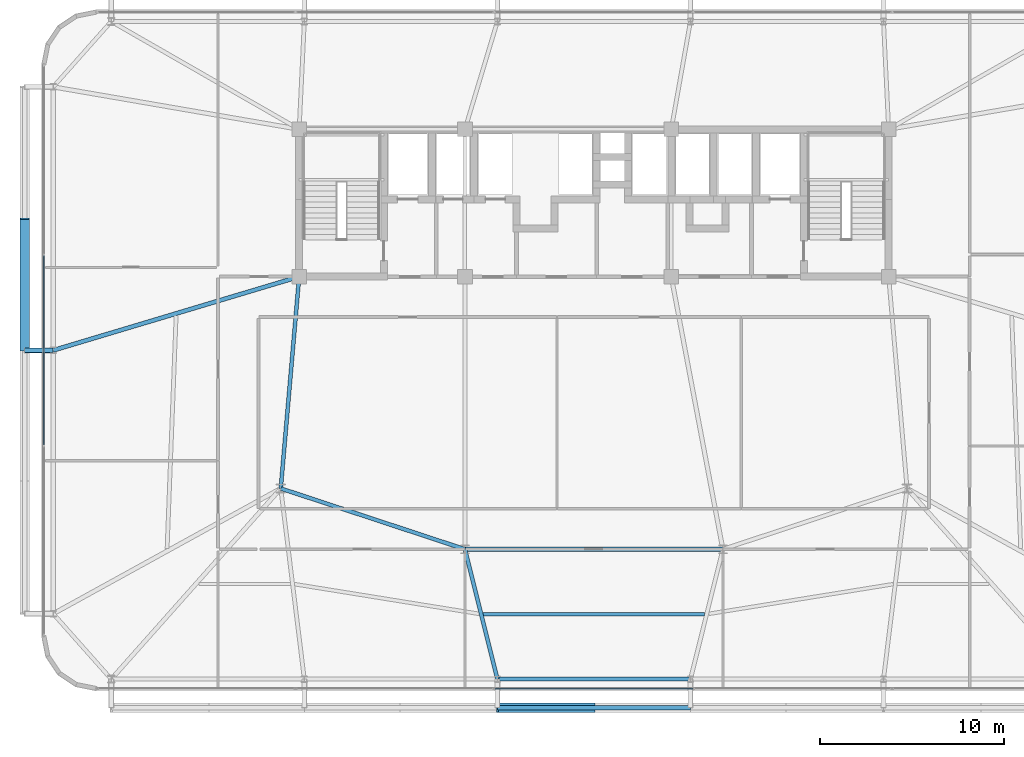
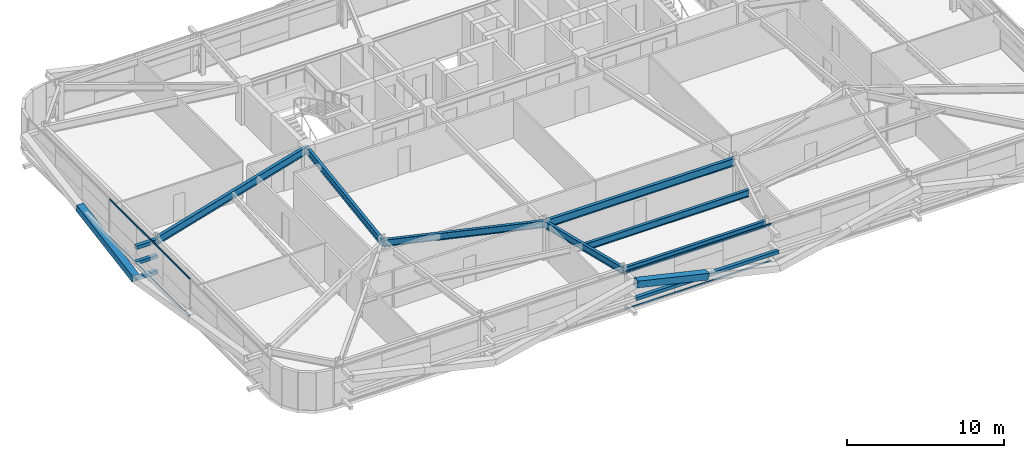
# One storey, part 10 of 44: 10 members, 7 beams, 2 elements without a shape of their own.
"""IFC4 building model written with IfcOpenShell, lengths in metres."""

from ifc_helpers import new_model, si_unit, direction, frame, origin, origin_2d, place, context, subcontext, project, spatial, hollow_rectangle, i_section, extrude, source, transform, mapped, material, layer, layer_set, material_profile, profile_set, type_object, element, aggregate, save


model = new_model("IFC4")

# Units and contexts
model_context = context("Model", 3, precision=1e-05, world=origin(), true_north=direction((0.0, 1.0)))
body_context = subcontext(model_context, "Body", "Model", "MODEL_VIEW")
ifc_project = project(units=[si_unit("LENGTHUNIT", "METRE"), si_unit("AREAUNIT", "SQUARE_METRE"), si_unit("VOLUMEUNIT", "CUBIC_METRE"), si_unit("PLANEANGLEUNIT", "RADIAN"), si_unit("MASSUNIT", "GRAM", prefix="KILO")], contexts=[model_context])

# Site, building, storey
site_placement = place(None, origin())
site = spatial("IfcSite", under=ifc_project, at=site_placement, CompositionType="ELEMENT")
building_placement = place(site_placement, origin())
building = spatial("IfcBuilding", under=site, at=building_placement, Name="Taldren Reach Tower", CompositionType="ELEMENT")
storey_placement = place(building_placement, frame((0.0, 0.0, 38.85009765625)))
storey = spatial("IfcBuildingStorey", under=building, at=storey_placement, Name="L11", CompositionType="ELEMENT", Elevation=38.85009765625)

# Beams
ifc_material_1 = material(Name="Steel Gr 350 (350PLUS)", Category="steel")
ifc_material_profile_1 = material_profile(ifc_material_1, i_section(OverallWidth=0.208984375, OverallDepth=0.532958984375, WebThickness=0.01025390625, FlangeThickness=0.015625, at=origin_2d()), Name="530UB92.4")
ifc_profile_set_1 = profile_set([ifc_material_profile_1], Name="Steel Gr 350 (350PLUS)")
beam_type_1 = type_object("IfcBeamType", Name="BM-UB530A", PredefinedType="BEAM", material=ifc_profile_set_1)
shared_shape_1 = source(origin(), body_context, "Body", "SweptSolid", [
    extrude(i_section(OverallWidth=0.208984375, OverallDepth=0.532958984375, WebThickness=0.01025390625, FlangeThickness=0.015625, at=origin_2d()), origin(), (0.0, 0.0, 1.0), 11.54345703125),
])
beam_1_placement = place(storey_placement, frame((19.0, 24.0, 2.663330078125), z_axis=(-0.086629616365, -0.996240588196, 0.0), x_axis=(0.996240588196, -0.086629616365, 0.0)))
element("IfcBeam", 1, at=beam_1_placement, inside=storey, type_object=beam_type_1, Name="Core-spine girder L11-SP09", PredefinedType="BEAM", context=body_context, shape_type="MappedRepresentation", body=[
    mapped(shared_shape_1, transform((0.0, 0.0, 0.0), scale=1.0)),
])
shared_shape_2 = source(origin(), body_context, "Body", "SweptSolid", [
    extrude(i_section(OverallWidth=0.208984375, OverallDepth=0.532958984375, WebThickness=0.01025390625, FlangeThickness=0.015625, at=origin_2d()), origin(), (0.0, 0.0, 1.0), 10.530517578125),
])
beam_2_placement = place(storey_placement, frame((18.0, 12.5, 2.663330078125), z_axis=(0.949627269203, -0.313381635689, 0.0), x_axis=(0.313381635689, 0.949627269203, 0.0)))
element("IfcBeam", 2, at=beam_2_placement, inside=storey, type_object=beam_type_1, Name="Core-spine girder L11-SP10", PredefinedType="BEAM", context=body_context, shape_type="MappedRepresentation", body=[
    mapped(shared_shape_2, transform((0.0, 0.0, 0.0), scale=1.0)),
])
ifc_material_profile_2 = material_profile(ifc_material_1, i_section(OverallWidth=0.22802734375, OverallDepth=0.60205078125, WebThickness=0.010498046875, FlangeThickness=0.014892578125, at=origin_2d()), Name="610UB101")
ifc_profile_set_2 = profile_set([ifc_material_profile_2], Name="Steel Gr 350 (350PLUS)")
beam_type_2 = type_object("IfcBeamType", Name="BM-UB610B", PredefinedType="BEAM", material=ifc_profile_set_2)
shared_shape_3 = source(origin(), body_context, "Body", "SweptSolid", [
    extrude(i_section(OverallWidth=0.22802734375, OverallDepth=0.60205078125, WebThickness=0.010498046875, FlangeThickness=0.014892578125, at=origin_2d()), origin(), (0.0, 0.0, 1.0), 14.0),
])
beam_3_placement = place(storey_placement, frame((28.0, 9.199951171875, 2.62890625), z_axis=(1.0, 0.0, 0.0), x_axis=(0.0, 1.0, 0.0)))
element("IfcBeam", 3, at=beam_3_placement, inside=storey, type_object=beam_type_2, Name="Core-spine girder L11-SP11", PredefinedType="BEAM", context=body_context, shape_type="MappedRepresentation", body=[
    mapped(shared_shape_3, transform((0.0, 0.0, 0.0), scale=1.0)),
])
ifc_material_profile_3 = material_profile(ifc_material_1, i_section(OverallWidth=0.208984375, OverallDepth=0.528076171875, WebThickness=0.009521484375, FlangeThickness=0.01318359375, at=origin_2d()), Name="530UB82.0")
ifc_profile_set_3 = profile_set([ifc_material_profile_3], Name="Steel Gr 350 (350PLUS)")
beam_type_3 = type_object("IfcBeamType", Name="SP-UB530B", PredefinedType="SPANDREL", material=ifc_profile_set_3)
shared_shape_4 = source(origin(), body_context, "Body", "SweptSolid", [
    extrude(i_section(OverallWidth=0.208984375, OverallDepth=0.528076171875, WebThickness=0.009521484375, FlangeThickness=0.01318359375, at=origin_2d()), origin(), (0.0, 0.0, 1.0), 10.47998046875),
])
beam_4_placement = place(storey_placement, frame((29.760009765625, 2.14990234375, 2.666015625), z_axis=(1.0, 0.0, 0.0), x_axis=(0.0, 1.0, 0.0)))
element("IfcBeam", 4, at=beam_4_placement, inside=storey, type_object=beam_type_3, Name="Perimeter spandrel B1 S3-S4 L11", PredefinedType="SPANDREL", context=body_context, shape_type="MappedRepresentation", body=[
    mapped(shared_shape_4, transform((0.0, 0.0, 0.0), scale=1.0)),
])
shared_shape_5 = source(origin(), body_context, "Body", "SweptSolid", [
    extrude(i_section(OverallWidth=0.208984375, OverallDepth=0.532958984375, WebThickness=0.01025390625, FlangeThickness=0.015625, at=origin_2d()), origin(), (0.0, 0.0, 1.0), 7.266357421875),
])
beam_5_placement = place(storey_placement, frame((28.0, 9.199951171875, 2.663330078125), z_axis=(0.24221148493, -0.970223477642, 0.0), x_axis=(0.970223477642, 0.24221148493, 0.0)))
element("IfcBeam", 5, at=beam_5_placement, inside=storey, type_object=beam_type_1, Name="Primary floor girder B1-S3 L11", PredefinedType="BEAM", context=body_context, shape_type="MappedRepresentation", body=[
    mapped(shared_shape_5, transform((0.0, 0.0, 0.0), scale=1.0)),
])
shared_shape_6 = source(origin(), body_context, "Body", "SweptSolid", [
    extrude(i_section(OverallWidth=0.22802734375, OverallDepth=0.60205078125, WebThickness=0.010498046875, FlangeThickness=0.014892578125, at=origin_2d()), origin(), (0.0, 0.0, 1.0), 13.9365234375),
])
beam_6_placement = place(storey_placement, frame((19.0, 24.0, 2.62890625), z_axis=(-0.957925550891, -0.287016792104, 0.0), x_axis=(0.287016792104, -0.957925550891, 0.0)))
element("IfcBeam", 6, at=beam_6_placement, inside=storey, type_object=beam_type_2, Name="Primary floor girder B1-W2 L11", PredefinedType="BEAM", context=body_context, shape_type="MappedRepresentation", body=[
    mapped(shared_shape_6, transform((0.0, 0.0, 0.0), scale=1.0)),
])
shared_shape_7 = source(origin(), body_context, "Body", "SweptSolid", [
    extrude(i_section(OverallWidth=0.208984375, OverallDepth=0.532958984375, WebThickness=0.01025390625, FlangeThickness=0.015625, at=origin_2d()), origin(), (0.0, 0.0, 1.0), 12.0244140625),
])
beam_7_placement = place(storey_placement, frame((28.98779296875, 5.675048828125, 2.663330078125), z_axis=(1.0, 0.0, 0.0), x_axis=(0.0, 1.0, 0.0)))
element("IfcBeam", 7, at=beam_7_placement, inside=storey, type_object=beam_type_1, Name="Secondary floor beam B1 J3 L11", PredefinedType="BEAM", context=body_context, shape_type="MappedRepresentation", body=[
    mapped(shared_shape_7, transform((0.0, 0.0, 0.0), scale=1.0)),
])

# Members
ifc_material_2 = material(Name="Steel Gr 450 (C450L0)", Category="steel")
ifc_material_profile_4 = material_profile(ifc_material_2, hollow_rectangle(XDim=0.27490234375, YDim=0.27490234375, WallThickness=0.00927734375, at=origin_2d()), Name="275x275x9.3SHS")
ifc_profile_set_4 = profile_set([ifc_material_profile_4], Name="Steel Gr 450 (C450L0)")
member_type_1 = type_object("IfcMemberType", Name="MB-TIE273", PredefinedType="STRUT", material=ifc_profile_set_4)
shared_shape_8 = source(origin(), body_context, "Body", "SweptSolid", [
    extrude(hollow_rectangle(XDim=0.27490234375, YDim=0.27490234375, WallThickness=0.00927734375, at=origin_2d()), origin(), (0.0, 0.0, 1.0), 1.5498046875),
])
member_1_placement = place(storey_placement, frame((5.64990234375, 20.0, 2.64990234375), z_axis=(-1.0, 0.0, 0.0), x_axis=(0.0, -1.0, 0.0)))
element("IfcMember", 8, at=member_1_placement, inside=storey, type_object=member_type_1, Name="Exoskeleton diaphragm tie strut B1-W2 L11", PredefinedType="STRUT", context=body_context, shape_type="MappedRepresentation", body=[
    mapped(shared_shape_8, transform((0.0, 0.0, 0.0), scale=1.0)),
])
ifc_material_profile_5 = material_profile(ifc_material_2, hollow_rectangle(XDim=0.510009765625, YDim=0.510009765625, WallThickness=0.02001953125, at=origin_2d()), Name="510x510x20.0SHS")
ifc_profile_set_5 = profile_set([ifc_material_profile_5], Name="Steel Gr 450 (C450L0)")
member_type_2 = type_object("IfcMemberType", Name="MB-EXO508", PredefinedType="BRACE", material=ifc_profile_set_5)
shared_shape_9 = source(origin(), body_context, "Body", "SweptSolid", [
    extrude(hollow_rectangle(XDim=0.510009765625, YDim=0.510009765625, WallThickness=0.02001953125, at=origin_2d()), origin(), (0.0, 0.0, 1.0), 5.37890625),
])
member_2_placement = place(storey_placement, frame((35.0, 0.60009765625, 1.434814453125), z_axis=(-0.97415197996, 0.0, 0.225893603143), x_axis=(0.0, -1.0, 0.0)))
element("IfcMember", 9, at=member_2_placement, inside=storey, type_object=member_type_2, Name="Exoskeleton Diagrid Brace B1-S3 L11", PredefinedType="BRACE", context=body_context, shape_type="MappedRepresentation", body=[
    mapped(shared_shape_9, transform((0.0, 0.0, 0.0), scale=1.0)),
])
ifc_material_3 = material(Name="Steel Gr 350 (C350L0)", Category="steel")
ifc_material_profile_6 = material_profile(ifc_material_3, hollow_rectangle(XDim=0.25, YDim=0.25, WallThickness=0.010009765625, at=origin_2d()), Name="250x250x10.0SHS")
ifc_profile_set_6 = profile_set([ifc_material_profile_6], Name="Steel Gr 350 (C350L0)")
member_type_3 = type_object("IfcMemberType", Name="MB-POST250", PredefinedType="POST", material=ifc_profile_set_6)
shared_shape_10 = source(origin(), body_context, "Body", "SweptSolid", [
    extrude(hollow_rectangle(XDim=0.25, YDim=0.25, WallThickness=0.010009765625, at=origin_2d()), origin(), (0.0, 0.0, 1.0), 10.47998046875),
])
member_3_placement = place(storey_placement, frame((29.760009765625, 0.60009765625, 1.434814453125), z_axis=(1.0, 0.0, 0.0), x_axis=(0.0, 1.0, 0.0)))
element("IfcMember", 10, at=member_3_placement, inside=storey, type_object=member_type_3, Name="Exoskeleton mid-height ring chord B1-S3 L11", PredefinedType="POST", context=body_context, shape_type="MappedRepresentation", body=[
    mapped(shared_shape_10, transform((0.0, 0.0, 0.0), scale=1.0)),
])
shared_shape_11 = source(origin(), body_context, "Body", "SweptSolid", [
    extrude(hollow_rectangle(XDim=0.25, YDim=0.25, WallThickness=0.010009765625, at=origin_2d()), origin(), (0.0, 0.0, 1.0), 1.5498046875),
])
for number, where, z_axis, x_axis, name in (
    (11, (5.64990234375, 20.0, 0.219970703125), (-1.0, 0.0, 0.0), (0.0, -1.0, 0.0), "Exoskeleton base diaphragm tie strut B1-W2 L11"),
    (12, (5.64990234375, 20.0, 1.434814453125), (-1.0, 0.0, 0.0), (0.0, -1.0, 0.0), "Exoskeleton mid-tier diaphragm tie B1-W2 L11"),
):
    element("IfcMember", number, at=place(storey_placement, frame(where, z_axis=z_axis, x_axis=x_axis)), inside=storey, type_object=member_type_3, Name=name, PredefinedType="POST", context=body_context, shape_type="MappedRepresentation", body=[
        mapped(shared_shape_11, transform((0.0, 0.0, 0.0), scale=1.0)),
    ])
shared_shape_12 = source(origin(), body_context, "Body", "SweptSolid", [
    extrude(hollow_rectangle(XDim=0.510009765625, YDim=0.510009765625, WallThickness=0.02001953125, at=origin_2d()), origin(), (0.0, 0.0, 1.0), 7.25244140625),
])
member_4_placement = place(storey_placement, frame((4.10009765625, 20.0, 0.219970703125), z_axis=(0.0, 0.985870415536, 0.167509772168), x_axis=(-1.0, 0.0, 0.0)))
element("IfcMember", 13, at=member_4_placement, inside=storey, type_object=member_type_2, Name="Exoskeleton Diagrid Brace B1-W2 L11", PredefinedType="BRACE", context=body_context, shape_type="MappedRepresentation", body=[
    mapped(shared_shape_12, transform((0.0, 0.0, 0.0), scale=1.0)),
])

# Curtain wall, members
ifc_material_4 = material(Name="Aluminium and Low-E Glass Unitised System", Category="aluminium")
ifc_layer = layer(ifc_material_4, 0.159912109375)
ifc_layer_set = layer_set([ifc_layer], Name="Aluminium and Low-E Glass Unitised System")
curtain_wall_type = type_object("IfcCurtainWallType", Name="CW-SYS-2", PredefinedType="NOTDEFINED", material=ifc_layer_set)
curtain_wall_1_placement = place(storey_placement, origin())
curtain_wall_1 = element("IfcCurtainWall", 14, at=curtain_wall_1_placement, inside=storey, type_object=curtain_wall_type, Name="Unitised curtain wall CW-L11-S", PredefinedType="NOTDEFINED")
ifc_material_5 = material(Name="Anodised Aluminium 6063-T6", Category="aluminium")
ifc_material_profile_7 = material_profile(ifc_material_5, hollow_rectangle(XDim=0.054931640625, YDim=0.1201171875, WallThickness=0.0029296875, at=origin_2d()), Name="ALU-120x55x3RHS")
ifc_profile_set_7 = profile_set([ifc_material_profile_7], Name="Anodised Aluminium 6063-T6")
member_type_4 = type_object("IfcMemberType", Name="CW-TRN-135", PredefinedType="USERDEFINED", material=ifc_profile_set_7)
shared_shape_13 = source(origin(), body_context, "Body", "SweptSolid", [
    extrude(hollow_rectangle(XDim=0.054931640625, YDim=0.1201171875, WallThickness=0.0029296875, at=origin_2d()), origin(), (0.0, 0.0, 1.0), 10.73486328125),
])
member_5_placement = place(storey_placement, frame((29.632568359375, 1.639892578125, 0.02734375), z_axis=(1.0, 0.0, 0.0), x_axis=(0.0, 1.0, 0.0)))
member_5 = element("IfcMember", 15, at=member_5_placement, type_object=member_type_4, Name="CW-2 transom 3.1", ObjectType="TRANSOM", PredefinedType="USERDEFINED", context=body_context, shape_type="MappedRepresentation", body=[
    mapped(shared_shape_13, transform((0.0, 0.0, 0.0), scale=1.0)),
])
member_6_placement = place(storey_placement, frame((29.632568359375, 1.639892578125, 2.90234375), z_axis=(1.0, 0.0, 0.0), x_axis=(0.0, 1.0, 0.0)))
member_6 = element("IfcMember", 16, at=member_6_placement, type_object=member_type_4, Name="CW-2 transom 3.2", ObjectType="TRANSOM", PredefinedType="USERDEFINED", context=body_context, shape_type="MappedRepresentation", body=[
    mapped(shared_shape_13, transform((0.0, 0.0, 0.0), scale=1.0)),
])
aggregate(curtain_wall_1, [member_5, member_6])

curtain_wall_2_placement = place(storey_placement, origin())
curtain_wall_2 = element("IfcCurtainWall", 17, at=curtain_wall_2_placement, inside=storey, type_object=curtain_wall_type, Name="Unitised curtain wall CW-L11-W", PredefinedType="NOTDEFINED")
shared_shape_14 = source(origin(), body_context, "Body", "SweptSolid", [
    extrude(hollow_rectangle(XDim=0.054931640625, YDim=0.1201171875, WallThickness=0.0029296875, at=origin_2d()), origin(), (0.0, 0.0, 1.0), 10.2685546875),
])
member_7_placement = place(storey_placement, frame((5.139892578125, 25.13427734375, 0.02734375), z_axis=(0.0, -1.0, 0.0), x_axis=(1.0, 0.0, 0.0)))
member_7 = element("IfcMember", 18, at=member_7_placement, type_object=member_type_4, Name="CW-2 transom 2.1", ObjectType="TRANSOM", PredefinedType="USERDEFINED", context=body_context, shape_type="MappedRepresentation", body=[
    mapped(shared_shape_14, transform((0.0, 0.0, 0.0), scale=1.0)),
])
member_8_placement = place(storey_placement, frame((5.139892578125, 25.13427734375, 2.90234375), z_axis=(0.0, -1.0, 0.0), x_axis=(1.0, 0.0, 0.0)))
member_8 = element("IfcMember", 19, at=member_8_placement, type_object=member_type_4, Name="CW-2 transom 2.2", ObjectType="TRANSOM", PredefinedType="USERDEFINED", context=body_context, shape_type="MappedRepresentation", body=[
    mapped(shared_shape_14, transform((0.0, 0.0, 0.0), scale=1.0)),
])
aggregate(curtain_wall_2, [member_7, member_8])

save(model, "model.ifc")
